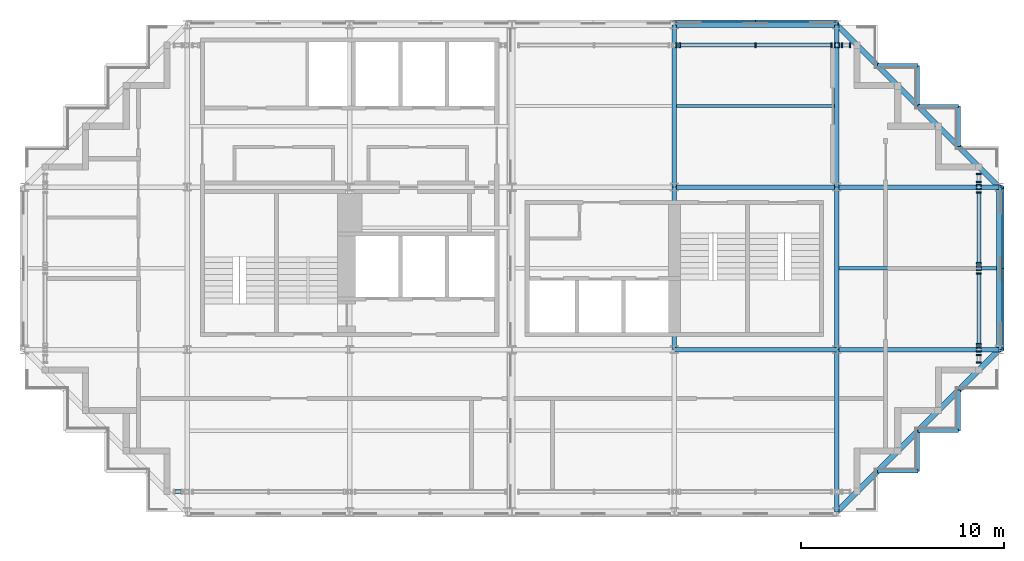
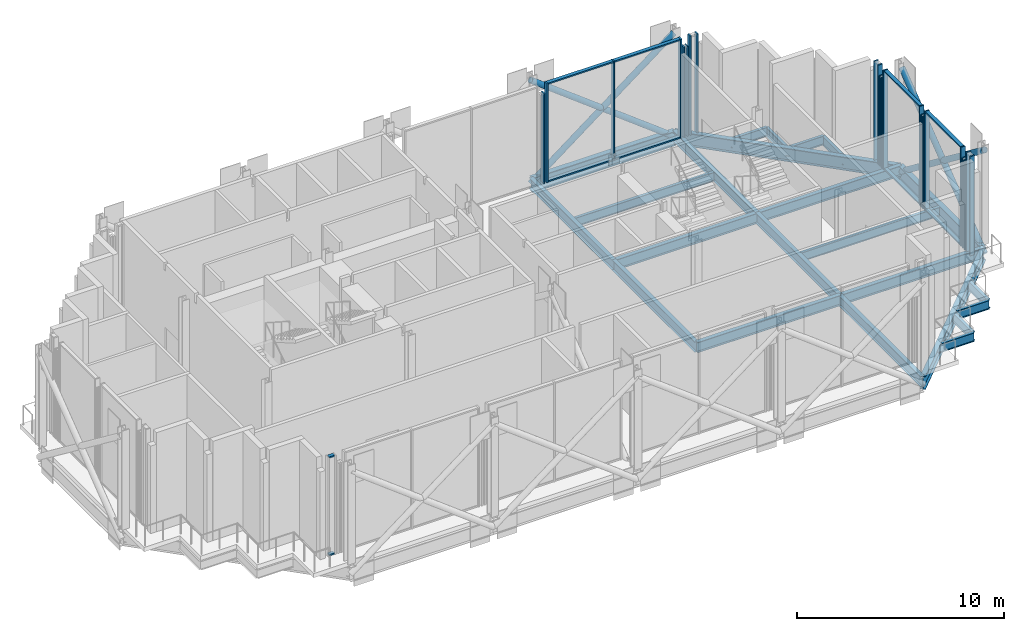
# One storey, part 4 of 16: 36 members, 23 beams, 12 elements without a shape of their own.
"""IFC4 building model written with IfcOpenShell, lengths in metres."""

import ifcopenshell
import ifcopenshell.guid

model = None  # the IFC model being written
_history = None  # IfcOwnerHistory: only IFC2X3 demands one
_inside = {}  # id of a spatial element -> (the spatial element, [elements in it])
_under = {}  # id of a project, library or spatial element -> (it, [spatial elements below it])
_declared = {}  # id of a project -> (the project, [libraries it declares])
_typed = {}  # id of a type object -> (the type object, [elements of that type])
_made_of = {}  # id of a material, layer set ... -> (it, [elements and type objects made of it])


def new_model(schema):
    """Start an empty IFC model of exactly this schema.

    Asked for "IFC4X3", IfcOpenShell would pick the latest addendum, in which some entities
    have other attributes; the version numbers below select the first issue.
    IFC2X3 requires an IfcOwnerHistory on every rooted entity: one is made here for all.
    """
    global model, _history
    if schema == "IFC4X3":
        model = ifcopenshell.file(schema_version=(4, 3, 0, 0))
    else:
        model = ifcopenshell.file(schema=schema)
    _inside.clear()
    _under.clear()
    _declared.clear()
    _typed.clear()
    _made_of.clear()
    _history = None
    if model.schema == "IFC2X3":
        org = make("IfcOrganization", Name="unknown")
        user = make(
            "IfcPersonAndOrganization",
            ThePerson=make("IfcPerson", FamilyName="unknown"),
            TheOrganization=org,
        )
        app = make(
            "IfcApplication",
            ApplicationDeveloper=org,
            Version="unknown",
            ApplicationFullName="unknown",
            ApplicationIdentifier="unknown",
        )
        _history = make(
            "IfcOwnerHistory",
            OwningUser=user,
            OwningApplication=app,
            ChangeAction="ADDED",
            CreationDate=0,
        )
    return model


def make(cls, **values):
    """One entity of the class cls with the attributes given. An attribute that is None is left unset."""
    return model.create_entity(
        cls, **{name: value for name, value in values.items() if value is not None}
    )


def rooted(cls, **values):
    """An entity with a GlobalId (a new one), such as an element, a storey or a relation."""
    return make(cls, GlobalId=ifcopenshell.guid.new(), OwnerHistory=_history, **values)


def si_unit(unit_type, name, prefix=None):
    """IfcSIUnit, for example si_unit("LENGTHUNIT", "METRE", prefix="MILLI")."""
    return make("IfcSIUnit", UnitType=unit_type, Prefix=prefix, Name=name)


def assignment(units):
    """IfcUnitAssignment: the units of a project."""
    return None if units is None else make("IfcUnitAssignment", Units=units)


def point(xyz):
    """IfcCartesianPoint."""
    return None if xyz is None else make("IfcCartesianPoint", Coordinates=xyz)


def direction(xyz):
    """IfcDirection."""
    return None if xyz is None else make("IfcDirection", DirectionRatios=xyz)


def frame(location, z_axis=None, x_axis=None):
    """IfcAxis2Placement3D, a coordinate frame: its origin and axes. An axis left out is left unset."""
    return make(
        "IfcAxis2Placement3D",
        Location=point(location),
        Axis=direction(z_axis),
        RefDirection=direction(x_axis),
    )


def frame_2d(location, x_axis=None):
    """IfcAxis2Placement2D, a coordinate frame in the plane: its origin and x axis."""
    return make(
        "IfcAxis2Placement2D", Location=point(location), RefDirection=direction(x_axis)
    )


def origin():
    """The frame at (0, 0, 0) with its axes left unset."""
    return frame((0.0, 0.0, 0.0))


def origin_2d():
    """The frame at (0, 0) in the plane with its x axis left unset."""
    return frame_2d((0.0, 0.0))


def place(relative_to, where):
    """IfcLocalPlacement: puts the frame where relative to a parent placement (None: the world)."""
    return make(
        "IfcLocalPlacement", PlacementRelTo=relative_to, RelativePlacement=where
    )


def context(
    kind, dimensions, precision=None, world=None, true_north=None, identifier=None
):
    """IfcGeometricRepresentationContext, for example the 3D "Model" context."""
    return make(
        "IfcGeometricRepresentationContext",
        ContextIdentifier=identifier,
        ContextType=kind,
        CoordinateSpaceDimension=dimensions,
        Precision=precision,
        WorldCoordinateSystem=world,
        TrueNorth=true_north,
    )


def subcontext(parent, identifier, kind, view, scale=None):
    """IfcGeometricRepresentationSubContext, for example "Body" below "Model"."""
    return make(
        "IfcGeometricRepresentationSubContext",
        ContextIdentifier=identifier,
        ContextType=kind,
        ParentContext=parent,
        TargetScale=scale,
        TargetView=view,
    )


def project(units=None, contexts=None):
    """IfcProject with its units and contexts."""
    return rooted(
        "IfcProject",
        Name="project",
        RepresentationContexts=contexts,
        UnitsInContext=assignment(units),
    )


def spatial(cls, under=None, at=None, **own):
    """A site, building, storey or space (cls), placed at a placement, below another one or the project."""
    s = rooted(cls, ObjectPlacement=at, **own)
    if under is not None:
        _under.setdefault(under.id(), (under, []))[1].append(s)
    return s


def profile(cls, at=None, kind="AREA", **sizes):
    """A parametric profile (cls). Its sizes go by their IFC names, for example OverallWidth=200.0."""
    return make(cls, ProfileType=kind, Position=at, **sizes)


def rectangle(**sizes):
    """IfcRectangleProfileDef."""
    return profile("IfcRectangleProfileDef", **sizes)


def hollow_circle(**sizes):
    """IfcCircleHollowProfileDef."""
    return profile("IfcCircleHollowProfileDef", **sizes)


def i_section(**sizes):
    """IfcIShapeProfileDef."""
    return profile("IfcIShapeProfileDef", **sizes)


def extrude(swept, where, along, depth):
    """IfcExtrudedAreaSolid: the profile swept, set in the frame where, extruded along a direction by depth."""
    return make(
        "IfcExtrudedAreaSolid",
        SweptArea=swept,
        Position=where,
        ExtrudedDirection=direction(along),
        Depth=depth,
    )


def shape(context_of_items, identifier, shape_type, items):
    """IfcShapeRepresentation: the items that make up one representation, for example the "Body"."""
    return make(
        "IfcShapeRepresentation",
        ContextOfItems=context_of_items,
        RepresentationIdentifier=identifier,
        RepresentationType=shape_type,
        Items=items,
    )


def material(Name=None, Category=None):
    """IfcMaterial."""
    return make("IfcMaterial", Name=Name, Category=Category)


def material_profile(
    of_material, cross_section, Name=None, Category=None, Priority=None
):
    """IfcMaterialProfile: a cross section and its material."""
    return make(
        "IfcMaterialProfile",
        Name=Name,
        Material=of_material,
        Profile=cross_section,
        Priority=Priority,
        Category=Category,
    )


def profile_set(profiles, Name=None, composite=None):
    """IfcMaterialProfileSet."""
    return make(
        "IfcMaterialProfileSet",
        Name=Name,
        MaterialProfiles=profiles,
        CompositeProfile=composite,
    )


def made_of(thing, what):
    """Note that an element or type object is made of a material, layer set ...; save() writes the relation."""
    if what is not None:
        _made_of.setdefault(what.id(), (what, []))[1].append(thing)
    return thing


def type_object(cls, material=None, **own):
    """A type object (cls), such as IfcWallType, which elements share."""
    return made_of(rooted(cls, **own), material)


def element(
    cls,
    number,
    at=None,
    inside=None,
    cuts=None,
    type_object=None,
    material=None,
    context=None,
    identifier="Body",
    shape_type=None,
    held_by="IfcProductDefinitionShape",
    body=None,
    shapes=None,
    **own,
):
    """One element of the class cls, such as IfcWall. Its Tag is "e" and its number.

    at: its placement. inside: the storey or other place that contains it. cuts: it is an
    opening in that element (IfcRelVoidsElement). A single representation is given by context,
    identifier, shape_type and body (its items); several are given by shapes. held_by: the class
    of the entity that holds the representations. save() writes the other relations.
    """
    e = rooted(cls, Tag="e%d" % number, ObjectPlacement=at, **own)
    if body is not None:
        shapes = [shape(context, identifier, shape_type, body)]
    if shapes is not None:
        e.Representation = make(held_by, Representations=shapes)
    if inside is not None:
        _inside.setdefault(inside.id(), (inside, []))[1].append(e)
    if cuts is not None:
        rooted(
            "IfcRelVoidsElement", RelatingBuildingElement=cuts, RelatedOpeningElement=e
        )
    if type_object is not None:
        _typed.setdefault(type_object.id(), (type_object, []))[1].append(e)
    return made_of(e, material)


def aggregate(whole, parts):
    """IfcRelAggregates: a whole, such as a stair, and the parts it consists of."""
    return rooted("IfcRelAggregates", RelatingObject=whole, RelatedObjects=parts)


def save(model, path):
    """Write the relations noted so far, then the file.

    IfcRelAggregates (storeys below a building ...), IfcRelContainedInSpatialStructure (elements
    in a storey), IfcRelDefinesByType, IfcRelAssociatesMaterial and IfcRelDeclares: one each for
    every whole, place, type object, material and project.
    """
    for whole, parts in _under.values():
        aggregate(whole, parts)
    for where, things in _inside.values():
        rooted(
            "IfcRelContainedInSpatialStructure",
            RelatedElements=things,
            RelatingStructure=where,
        )
    for kind, things in _typed.values():
        rooted("IfcRelDefinesByType", RelatedObjects=things, RelatingType=kind)
    for what, things in _made_of.values():
        rooted("IfcRelAssociatesMaterial", RelatedObjects=things, RelatingMaterial=what)
    for by, libraries in _declared.values():
        rooted("IfcRelDeclares", RelatingContext=by, RelatedDefinitions=libraries)
    model.write(path)


model = new_model("IFC4")

# Units and contexts
model_context = context("Model", 3, precision=1e-05, world=origin(), true_north=direction((0.0, 1.0)))
body_context = subcontext(model_context, "Body", "Model", "MODEL_VIEW")
ifc_project = project(units=[si_unit("LENGTHUNIT", "METRE"), si_unit("AREAUNIT", "SQUARE_METRE"), si_unit("VOLUMEUNIT", "CUBIC_METRE"), si_unit("PLANEANGLEUNIT", "RADIAN"), si_unit("MASSUNIT", "GRAM", prefix="KILO")], contexts=[model_context])

# Site, building, storey
site_placement = place(None, origin())
site = spatial("IfcSite", under=ifc_project, at=site_placement, CompositionType="ELEMENT")
building_placement = place(site_placement, origin())
building = spatial("IfcBuilding", under=site, at=building_placement, Name="Immortelle Media Tower", CompositionType="ELEMENT")
storey_placement = place(building_placement, frame((0.0, 0.0, 241.0)))
storey = spatial("IfcBuildingStorey", under=building, at=storey_placement, Name="L52", CompositionType="ELEMENT", Elevation=241.0)

# Members
ifc_material_1 = material(Name="Steel ASTM A500 Gr C", Category="steel")
ifc_material_profile_1 = material_profile(ifc_material_1, hollow_circle(Radius=0.162109375, WallThickness=0.011962890625, at=origin_2d()), Name="HSS12.750x0.500 truss diagonal")
ifc_profile_set_1 = profile_set([ifc_material_profile_1], Name="Steel ASTM A500 Gr C")
member_type_1 = type_object("IfcMemberType", Name="HSS12.750x0.500 truss diagonal", PredefinedType="BRACE", material=ifc_profile_set_1)
for number, where, z_axis, x_axis, name in (
    (1, (32.0, 24.072021484375, -0.679443359375), (0.794660608453, 0.0, 0.607053965783), (0.0, 1.0, 0.0), "Belt truss D/5-6 A"),
    (2, (32.0, 24.072021484375, 5.431884765625), (0.794660608453, 0.0, -0.607053965783), (0.0, 1.0, 0.0), "Belt truss D/5-6 B"),
    (3, (48.072021484375, 8.0, -0.679443359375), (0.0, 0.794660608453, 0.607053965783), (-1.0, 0.0, 0.0), "Belt truss 7/B-C A"),
    (4, (48.072021484375, 8.0, 5.431884765625), (0.0, 0.794660608453, -0.607053965783), (-1.0, 0.0, 0.0), "Belt truss 7/B-C B"),
):
    element("IfcMember", number, at=place(storey_placement, frame(where, z_axis=z_axis, x_axis=x_axis)), inside=storey, type_object=member_type_1, Name=name, PredefinedType="BRACE", context=body_context, shape_type="SweptSolid", body=[
        extrude(hollow_circle(Radius=0.162109375, WallThickness=0.011962890625, at=origin_2d()), origin(), (0.0, 0.0, 1.0), 10.067138671875),
    ])

# Curtain wall, members
ifc_material_2 = material(Name="Aluminium curtain wall system", Category="aluminium")
curtain_wall_type = type_object("IfcCurtainWallType", Name="Plant louvre wall curtain wall", PredefinedType="NOTDEFINED", material=ifc_material_2)
curtain_wall_1_placement = place(storey_placement, origin())
curtain_wall_1 = element("IfcCurtainWall", 5, at=curtain_wall_1_placement, inside=storey, type_object=curtain_wall_type, Name="Plant louvre wall L52 E 14-2", PredefinedType="NOTDEFINED")
ifc_material_3 = material(Name="Aluminium 6063-T6", Category="aluminium")
ifc_material_profile_2 = material_profile(ifc_material_3, rectangle(XDim=0.25, YDim=0.080078125, at=origin_2d()), Name="AL 80x250")
ifc_profile_set_2 = profile_set([ifc_material_profile_2], Name="Aluminium 6063-T6")
member_type_2 = type_object("IfcMemberType", Name="Plant louvre wall mullion 80 x 250", PredefinedType="MULLION", material=ifc_profile_set_2)
member_1_placement = place(storey_placement, frame((47.0, 7.35888671875, 0.0), z_axis=(0.0, 0.0, 1.0), x_axis=(-1.0, 0.0, 0.0)))
member_1 = element("IfcMember", 6, at=member_1_placement, type_object=member_type_2, Name="CW6 mullion 1", PredefinedType="MULLION", context=body_context, shape_type="SweptSolid", body=[
    extrude(rectangle(XDim=0.25, YDim=0.080078125, at=origin_2d()), origin(), (0.0, 0.0, 1.0), 5.849609375),
])
member_2_placement = place(storey_placement, frame((47.0, 7.736572265625, 0.0), z_axis=(0.0, 0.0, 1.0), x_axis=(-1.0, 0.0, 0.0)))
member_2 = element("IfcMember", 7, at=member_2_placement, type_object=member_type_2, Name="CW6 mullion 2", PredefinedType="MULLION", context=body_context, shape_type="SweptSolid", body=[
    extrude(rectangle(XDim=0.25, YDim=0.080078125, at=origin_2d()), origin(), (0.0, 0.0, 1.0), 5.849609375),
])
aggregate(curtain_wall_1, [member_1, member_2])

curtain_wall_2_placement = place(storey_placement, origin())
curtain_wall_2 = element("IfcCurtainWall", 8, at=curtain_wall_2_placement, inside=storey, type_object=curtain_wall_type, Name="Plant louvre wall L52 E 14-3", PredefinedType="NOTDEFINED")
member_3_placement = place(storey_placement, frame((47.0, 7.906494140625, 0.0), z_axis=(0.0, 0.0, 1.0), x_axis=(-1.0, 0.0, 0.0)))
member_3 = element("IfcMember", 9, at=member_3_placement, type_object=member_type_2, Name="CW6 mullion 1", PredefinedType="MULLION", context=body_context, shape_type="SweptSolid", body=[
    extrude(rectangle(XDim=0.25, YDim=0.080078125, at=origin_2d()), origin(), (0.0, 0.0, 1.0), 5.3134765625),
])
member_4_placement = place(storey_placement, frame((47.0, 8.093505859375, 0.0), z_axis=(0.0, 0.0, 1.0), x_axis=(-1.0, 0.0, 0.0)))
member_4 = element("IfcMember", 10, at=member_4_placement, type_object=member_type_2, Name="CW6 mullion 2", PredefinedType="MULLION", context=body_context, shape_type="SweptSolid", body=[
    extrude(rectangle(XDim=0.25, YDim=0.080078125, at=origin_2d()), origin(), (0.0, 0.0, 1.0), 5.3134765625),
])
aggregate(curtain_wall_2, [member_3, member_4])

curtain_wall_3_placement = place(storey_placement, origin())
curtain_wall_3 = element("IfcCurtainWall", 11, at=curtain_wall_3_placement, inside=storey, type_object=curtain_wall_type, Name="Plant louvre wall L52 E 14-4", PredefinedType="NOTDEFINED")
member_5_placement = place(storey_placement, frame((47.0, 8.263427734375, 0.0), z_axis=(0.0, 0.0, 1.0), x_axis=(-1.0, 0.0, 0.0)))
member_5 = element("IfcMember", 12, at=member_5_placement, type_object=member_type_2, Name="CW6 mullion 1", PredefinedType="MULLION", context=body_context, shape_type="SweptSolid", body=[
    extrude(rectangle(XDim=0.25, YDim=0.080078125, at=origin_2d()), origin(), (0.0, 0.0, 1.0), 5.849609375),
])
member_6_placement = place(storey_placement, frame((47.0, 11.75, 0.0), z_axis=(0.0, 0.0, 1.0), x_axis=(-1.0, 0.0, 0.0)))
member_6 = element("IfcMember", 13, at=member_6_placement, type_object=member_type_2, Name="CW6 mullion 2", PredefinedType="MULLION", context=body_context, shape_type="SweptSolid", body=[
    extrude(rectangle(XDim=0.25, YDim=0.080078125, at=origin_2d()), origin(), (0.0, 0.0, 1.0), 5.849609375),
])

curtain_wall_4_placement = place(storey_placement, origin())
curtain_wall_4 = element("IfcCurtainWall", 14, at=curtain_wall_4_placement, inside=storey, type_object=curtain_wall_type, Name="Plant louvre wall L52 E 14-5", PredefinedType="NOTDEFINED")
member_7_placement = place(storey_placement, frame((47.0, 11.919921875, 0.0), z_axis=(0.0, 0.0, 1.0), x_axis=(-1.0, 0.0, 0.0)))
member_7 = element("IfcMember", 15, at=member_7_placement, type_object=member_type_2, Name="CW6 mullion 1", PredefinedType="MULLION", context=body_context, shape_type="SweptSolid", body=[
    extrude(rectangle(XDim=0.25, YDim=0.080078125, at=origin_2d()), origin(), (0.0, 0.0, 1.0), 5.445556640625),
])
member_8_placement = place(storey_placement, frame((47.0, 12.080078125, 0.0), z_axis=(0.0, 0.0, 1.0), x_axis=(-1.0, 0.0, 0.0)))
member_8 = element("IfcMember", 16, at=member_8_placement, type_object=member_type_2, Name="CW6 mullion 2", PredefinedType="MULLION", context=body_context, shape_type="SweptSolid", body=[
    extrude(rectangle(XDim=0.25, YDim=0.080078125, at=origin_2d()), origin(), (0.0, 0.0, 1.0), 5.445556640625),
])
aggregate(curtain_wall_4, [member_7, member_8])

curtain_wall_5_placement = place(storey_placement, origin())
curtain_wall_5 = element("IfcCurtainWall", 17, at=curtain_wall_5_placement, inside=storey, type_object=curtain_wall_type, Name="Plant louvre wall L52 E 14-6", PredefinedType="NOTDEFINED")
member_9_placement = place(storey_placement, frame((47.0, 12.25, 0.0), z_axis=(0.0, 0.0, 1.0), x_axis=(-1.0, 0.0, 0.0)))
member_9 = element("IfcMember", 18, at=member_9_placement, type_object=member_type_2, Name="CW6 mullion 1", PredefinedType="MULLION", context=body_context, shape_type="SweptSolid", body=[
    extrude(rectangle(XDim=0.25, YDim=0.080078125, at=origin_2d()), origin(), (0.0, 0.0, 1.0), 5.849609375),
])
member_10_placement = place(storey_placement, frame((47.0, 15.736572265625, 0.0), z_axis=(0.0, 0.0, 1.0), x_axis=(-1.0, 0.0, 0.0)))
member_10 = element("IfcMember", 19, at=member_10_placement, type_object=member_type_2, Name="CW6 mullion 2", PredefinedType="MULLION", context=body_context, shape_type="SweptSolid", body=[
    extrude(rectangle(XDim=0.25, YDim=0.080078125, at=origin_2d()), origin(), (0.0, 0.0, 1.0), 5.849609375),
])

curtain_wall_6_placement = place(storey_placement, origin())
curtain_wall_6 = element("IfcCurtainWall", 20, at=curtain_wall_6_placement, inside=storey, type_object=curtain_wall_type, Name="Plant louvre wall L52 E 14-7", PredefinedType="NOTDEFINED")
member_11_placement = place(storey_placement, frame((47.0, 15.906494140625, 0.0), z_axis=(0.0, 0.0, 1.0), x_axis=(-1.0, 0.0, 0.0)))
member_11 = element("IfcMember", 21, at=member_11_placement, type_object=member_type_2, Name="CW6 mullion 1", PredefinedType="MULLION", context=body_context, shape_type="SweptSolid", body=[
    extrude(rectangle(XDim=0.25, YDim=0.080078125, at=origin_2d()), origin(), (0.0, 0.0, 1.0), 5.3134765625),
])
member_12_placement = place(storey_placement, frame((47.0, 16.093505859375, 0.0), z_axis=(0.0, 0.0, 1.0), x_axis=(-1.0, 0.0, 0.0)))
member_12 = element("IfcMember", 22, at=member_12_placement, type_object=member_type_2, Name="CW6 mullion 2", PredefinedType="MULLION", context=body_context, shape_type="SweptSolid", body=[
    extrude(rectangle(XDim=0.25, YDim=0.080078125, at=origin_2d()), origin(), (0.0, 0.0, 1.0), 5.3134765625),
])
aggregate(curtain_wall_6, [member_11, member_12])

curtain_wall_7_placement = place(storey_placement, origin())
curtain_wall_7 = element("IfcCurtainWall", 23, at=curtain_wall_7_placement, inside=storey, type_object=curtain_wall_type, Name="Plant louvre wall L52 E 14-8", PredefinedType="NOTDEFINED")
member_13_placement = place(storey_placement, frame((47.0, 16.263427734375, 0.0), z_axis=(0.0, 0.0, 1.0), x_axis=(-1.0, 0.0, 0.0)))
member_13 = element("IfcMember", 24, at=member_13_placement, type_object=member_type_2, Name="CW6 mullion 1", PredefinedType="MULLION", context=body_context, shape_type="SweptSolid", body=[
    extrude(rectangle(XDim=0.25, YDim=0.080078125, at=origin_2d()), origin(), (0.0, 0.0, 1.0), 5.849609375),
])
member_14_placement = place(storey_placement, frame((47.0, 16.64111328125, 0.0), z_axis=(0.0, 0.0, 1.0), x_axis=(-1.0, 0.0, 0.0)))
member_14 = element("IfcMember", 25, at=member_14_placement, type_object=member_type_2, Name="CW6 mullion 2", PredefinedType="MULLION", context=body_context, shape_type="SweptSolid", body=[
    extrude(rectangle(XDim=0.25, YDim=0.080078125, at=origin_2d()), origin(), (0.0, 0.0, 1.0), 5.849609375),
])
aggregate(curtain_wall_7, [member_13, member_14])

curtain_wall_8_placement = place(storey_placement, origin())
curtain_wall_8 = element("IfcCurtainWall", 26, at=curtain_wall_8_placement, inside=storey, type_object=curtain_wall_type, Name="Plant louvre wall L52 N 21-2", PredefinedType="NOTDEFINED")
member_15_placement = place(storey_placement, frame((40.64111328125, 23.0, 0.0), z_axis=(0.0, 0.0, 1.0), x_axis=(0.0, -1.0, 0.0)))
member_15 = element("IfcMember", 27, at=member_15_placement, type_object=member_type_2, Name="CW6 mullion 1", PredefinedType="MULLION", context=body_context, shape_type="SweptSolid", body=[
    extrude(rectangle(XDim=0.25, YDim=0.080078125, at=origin_2d()), origin(), (0.0, 0.0, 1.0), 5.849609375),
])
member_16_placement = place(storey_placement, frame((40.263427734375, 23.0, 0.0), z_axis=(0.0, 0.0, 1.0), x_axis=(0.0, -1.0, 0.0)))
member_16 = element("IfcMember", 28, at=member_16_placement, type_object=member_type_2, Name="CW6 mullion 2", PredefinedType="MULLION", context=body_context, shape_type="SweptSolid", body=[
    extrude(rectangle(XDim=0.25, YDim=0.080078125, at=origin_2d()), origin(), (0.0, 0.0, 1.0), 5.849609375),
])
aggregate(curtain_wall_8, [member_15, member_16])

curtain_wall_9_placement = place(storey_placement, origin())
curtain_wall_9 = element("IfcCurtainWall", 29, at=curtain_wall_9_placement, inside=storey, type_object=curtain_wall_type, Name="Plant louvre wall L52 N 21-3", PredefinedType="NOTDEFINED")
member_17_placement = place(storey_placement, frame((40.093505859375, 23.0, 0.0), z_axis=(0.0, 0.0, 1.0), x_axis=(0.0, -1.0, 0.0)))
member_17 = element("IfcMember", 30, at=member_17_placement, type_object=member_type_2, Name="CW6 mullion 1", PredefinedType="MULLION", context=body_context, shape_type="SweptSolid", body=[
    extrude(rectangle(XDim=0.25, YDim=0.080078125, at=origin_2d()), origin(), (0.0, 0.0, 1.0), 5.3134765625),
])
member_18_placement = place(storey_placement, frame((39.906494140625, 23.0, 0.0), z_axis=(0.0, 0.0, 1.0), x_axis=(0.0, -1.0, 0.0)))
member_18 = element("IfcMember", 31, at=member_18_placement, type_object=member_type_2, Name="CW6 mullion 2", PredefinedType="MULLION", context=body_context, shape_type="SweptSolid", body=[
    extrude(rectangle(XDim=0.25, YDim=0.080078125, at=origin_2d()), origin(), (0.0, 0.0, 1.0), 5.3134765625),
])
aggregate(curtain_wall_9, [member_17, member_18])

curtain_wall_10_placement = place(storey_placement, origin())
curtain_wall_10 = element("IfcCurtainWall", 32, at=curtain_wall_10_placement, inside=storey, type_object=curtain_wall_type, Name="Plant louvre wall L52 N 21-4", PredefinedType="NOTDEFINED")
member_19_placement = place(storey_placement, frame((39.736572265625, 23.0, 0.0), z_axis=(0.0, 0.0, 1.0), x_axis=(0.0, -1.0, 0.0)))
member_19 = element("IfcMember", 33, at=member_19_placement, type_object=member_type_2, Name="CW6 mullion 1", PredefinedType="MULLION", context=body_context, shape_type="SweptSolid", body=[
    extrude(rectangle(XDim=0.25, YDim=0.080078125, at=origin_2d()), origin(), (0.0, 0.0, 1.0), 5.849609375),
])
member_20_placement = place(storey_placement, frame((36.0, 23.0, 0.0), z_axis=(0.0, 0.0, 1.0), x_axis=(0.0, -1.0, 0.0)))
member_20 = element("IfcMember", 34, at=member_20_placement, type_object=member_type_2, Name="CW6 mullion 2", PredefinedType="MULLION", context=body_context, shape_type="SweptSolid", body=[
    extrude(rectangle(XDim=0.25, YDim=0.080078125, at=origin_2d()), origin(), (0.0, 0.0, 1.0), 5.849609375),
])
member_21_placement = place(storey_placement, frame((32.263427734375, 23.0, 0.0), z_axis=(0.0, 0.0, 1.0), x_axis=(0.0, -1.0, 0.0)))
member_21 = element("IfcMember", 35, at=member_21_placement, type_object=member_type_2, Name="CW6 mullion 3", PredefinedType="MULLION", context=body_context, shape_type="SweptSolid", body=[
    extrude(rectangle(XDim=0.25, YDim=0.080078125, at=origin_2d()), origin(), (0.0, 0.0, 1.0), 5.849609375),
])

# Curtain wall, member
curtain_wall_11_placement = place(storey_placement, origin())
curtain_wall_11 = element("IfcCurtainWall", 36, at=curtain_wall_11_placement, inside=storey, type_object=curtain_wall_type, Name="Plant louvre wall L52 N 21-5", PredefinedType="NOTDEFINED")
member_22_placement = place(storey_placement, frame((32.093505859375, 23.0, 0.0), z_axis=(0.0, 0.0, 1.0), x_axis=(0.0, -1.0, 0.0)))
member_22 = element("IfcMember", 37, at=member_22_placement, type_object=member_type_2, Name="CW6 mullion 1", PredefinedType="MULLION", context=body_context, shape_type="SweptSolid", body=[
    extrude(rectangle(XDim=0.25, YDim=0.080078125, at=origin_2d()), origin(), (0.0, 0.0, 1.0), 5.3134765625),
])
aggregate(curtain_wall_11, [member_22])

# Curtain wall, members
curtain_wall_12_placement = place(storey_placement, origin())
curtain_wall_12 = element("IfcCurtainWall", 38, at=curtain_wall_12_placement, inside=storey, type_object=curtain_wall_type, Name="Plant louvre wall L52 S 7-2", PredefinedType="NOTDEFINED")
ifc_material_profile_3 = material_profile(ifc_material_3, rectangle(XDim=0.199951171875, YDim=0.080078125, at=origin_2d()), Name="AL 80x200")
ifc_profile_set_3 = profile_set([ifc_material_profile_3], Name="Aluminium 6063-T6")
member_type_3 = type_object("IfcMemberType", Name="Plant louvre wall transom 80 x 200", PredefinedType="USERDEFINED", material=ifc_profile_set_3)
member_23_placement = place(storey_placement, frame((7.39892578125, 1.0, 0.0400390625), z_axis=(1.0, 0.0, 0.0), x_axis=(0.0, 1.0, 0.0)))
member_23 = element("IfcMember", 39, at=member_23_placement, type_object=member_type_3, Name="CW6 transom 1.1", ObjectType="TRANSOM", PredefinedType="USERDEFINED", context=body_context, shape_type="SweptSolid", body=[
    extrude(rectangle(XDim=0.199951171875, YDim=0.080078125, at=origin_2d()), origin(), (0.0, 0.0, 1.0), 0.297607421875),
])
member_24_placement = place(storey_placement, frame((7.39892578125, 1.0, 5.8095703125), z_axis=(1.0, 0.0, 0.0), x_axis=(0.0, 1.0, 0.0)))
member_24 = element("IfcMember", 40, at=member_24_placement, type_object=member_type_3, Name="CW6 transom 1.2", ObjectType="TRANSOM", PredefinedType="USERDEFINED", context=body_context, shape_type="SweptSolid", body=[
    extrude(rectangle(XDim=0.199951171875, YDim=0.080078125, at=origin_2d()), origin(), (0.0, 0.0, 1.0), 0.297607421875),
])
aggregate(curtain_wall_12, [member_23, member_24])

# Member
member_25_placement = place(storey_placement, frame((47.0, 8.303466796875, 0.0400390625), z_axis=(0.0, 1.0, 0.0), x_axis=(-1.0, 0.0, 0.0)))
member_25 = element("IfcMember", 41, at=member_25_placement, type_object=member_type_3, Name="CW6 transom 1.1", ObjectType="TRANSOM", PredefinedType="USERDEFINED", context=body_context, shape_type="SweptSolid", body=[
    extrude(rectangle(XDim=0.199951171875, YDim=0.080078125, at=origin_2d()), origin(), (0.0, 0.0, 1.0), 3.406494140625),
])

member_26_placement = place(storey_placement, frame((47.0, 8.303466796875, 5.8095703125), z_axis=(0.0, 1.0, 0.0), x_axis=(-1.0, 0.0, 0.0)))
member_26 = element("IfcMember", 42, at=member_26_placement, type_object=member_type_3, Name="CW6 transom 1.2", ObjectType="TRANSOM", PredefinedType="USERDEFINED", context=body_context, shape_type="SweptSolid", body=[
    extrude(rectangle(XDim=0.199951171875, YDim=0.080078125, at=origin_2d()), origin(), (0.0, 0.0, 1.0), 3.406494140625),
])

aggregate(curtain_wall_3, [member_5, member_6, member_25, member_26])

member_27_placement = place(storey_placement, frame((47.0, 12.2900390625, 0.0400390625), z_axis=(0.0, 1.0, 0.0), x_axis=(-1.0, 0.0, 0.0)))
member_27 = element("IfcMember", 43, at=member_27_placement, type_object=member_type_3, Name="CW6 transom 1.1", ObjectType="TRANSOM", PredefinedType="USERDEFINED", context=body_context, shape_type="SweptSolid", body=[
    extrude(rectangle(XDim=0.199951171875, YDim=0.080078125, at=origin_2d()), origin(), (0.0, 0.0, 1.0), 3.406494140625),
])

member_28_placement = place(storey_placement, frame((47.0, 12.2900390625, 5.8095703125), z_axis=(0.0, 1.0, 0.0), x_axis=(-1.0, 0.0, 0.0)))
member_28 = element("IfcMember", 44, at=member_28_placement, type_object=member_type_3, Name="CW6 transom 1.2", ObjectType="TRANSOM", PredefinedType="USERDEFINED", context=body_context, shape_type="SweptSolid", body=[
    extrude(rectangle(XDim=0.199951171875, YDim=0.080078125, at=origin_2d()), origin(), (0.0, 0.0, 1.0), 3.406494140625),
])

aggregate(curtain_wall_5, [member_9, member_10, member_27, member_28])

member_29_placement = place(storey_placement, frame((39.696533203125, 23.0, 0.0400390625), z_axis=(-1.0, 0.0, 0.0), x_axis=(0.0, -1.0, 0.0)))
member_29 = element("IfcMember", 45, at=member_29_placement, type_object=member_type_3, Name="CW6 transom 1.1", ObjectType="TRANSOM", PredefinedType="USERDEFINED", context=body_context, shape_type="SweptSolid", body=[
    extrude(rectangle(XDim=0.199951171875, YDim=0.080078125, at=origin_2d()), origin(), (0.0, 0.0, 1.0), 3.656494140625),
])

member_30_placement = place(storey_placement, frame((39.696533203125, 23.0, 5.8095703125), z_axis=(-1.0, 0.0, 0.0), x_axis=(0.0, -1.0, 0.0)))
member_30 = element("IfcMember", 46, at=member_30_placement, type_object=member_type_3, Name="CW6 transom 1.2", ObjectType="TRANSOM", PredefinedType="USERDEFINED", context=body_context, shape_type="SweptSolid", body=[
    extrude(rectangle(XDim=0.199951171875, YDim=0.080078125, at=origin_2d()), origin(), (0.0, 0.0, 1.0), 3.656494140625),
])

member_31_placement = place(storey_placement, frame((35.9599609375, 23.0, 0.0400390625), z_axis=(-1.0, 0.0, 0.0), x_axis=(0.0, -1.0, 0.0)))
member_31 = element("IfcMember", 47, at=member_31_placement, type_object=member_type_3, Name="CW6 transom 2.1", ObjectType="TRANSOM", PredefinedType="USERDEFINED", context=body_context, shape_type="SweptSolid", body=[
    extrude(rectangle(XDim=0.199951171875, YDim=0.080078125, at=origin_2d()), origin(), (0.0, 0.0, 1.0), 3.656494140625),
])

member_32_placement = place(storey_placement, frame((35.9599609375, 23.0, 5.8095703125), z_axis=(-1.0, 0.0, 0.0), x_axis=(0.0, -1.0, 0.0)))
member_32 = element("IfcMember", 48, at=member_32_placement, type_object=member_type_3, Name="CW6 transom 2.2", ObjectType="TRANSOM", PredefinedType="USERDEFINED", context=body_context, shape_type="SweptSolid", body=[
    extrude(rectangle(XDim=0.199951171875, YDim=0.080078125, at=origin_2d()), origin(), (0.0, 0.0, 1.0), 3.656494140625),
])

aggregate(curtain_wall_10, [member_19, member_20, member_21, member_29, member_30, member_31, member_32])

# Beams
ifc_material_4 = material(Name="Steel ASTM A992 Gr 50", Category="steel")
ifc_material_profile_4 = material_profile(ifc_material_4, i_section(OverallWidth=0.1650390625, OverallDepth=0.52587890625, WebThickness=0.009033203125, FlangeThickness=0.010986328125, at=origin_2d()), Name="W21x44")
ifc_profile_set_4 = profile_set([ifc_material_profile_4], Name="Steel ASTM A992 Gr 50")
beam_type_1 = type_object("IfcBeamType", Name="W21x44 secondary beam", PredefinedType="JOIST", material=ifc_profile_set_4)
beam_1_placement = place(storey_placement, frame((40.114501953125, 12.0, -0.512939453125), z_axis=(1.0, 0.0, 0.0), x_axis=(0.0, 1.0, 0.0)))
element("IfcBeam", 49, at=beam_1_placement, inside=storey, type_object=beam_type_1, Name="Beam B-C/6-7", PredefinedType="JOIST", context=body_context, shape_type="SweptSolid", body=[
    extrude(i_section(OverallWidth=0.1650390625, OverallDepth=0.52587890625, WebThickness=0.009033203125, FlangeThickness=0.010986328125, at=origin_2d()), origin(), (0.0, 0.0, 1.0), 7.739501953125),
])
beam_2_placement = place(storey_placement, frame((32.114501953125, 20.0, -0.512939453125), z_axis=(1.0, 0.0, 0.0), x_axis=(0.0, 1.0, 0.0)))
element("IfcBeam", 50, at=beam_2_placement, inside=storey, type_object=beam_type_1, Name="Beam C-D/5-6", PredefinedType="JOIST", context=body_context, shape_type="SweptSolid", body=[
    extrude(i_section(OverallWidth=0.1650390625, OverallDepth=0.52587890625, WebThickness=0.009033203125, FlangeThickness=0.010986328125, at=origin_2d()), origin(), (0.0, 0.0, 1.0), 7.77099609375),
])
ifc_material_profile_5 = material_profile(ifc_material_4, i_section(OverallWidth=0.1650390625, OverallDepth=0.52587890625, WebThickness=0.009033203125, FlangeThickness=0.010986328125, at=origin_2d()), Name="W21x44")
ifc_profile_set_5 = profile_set([ifc_material_profile_5], Name="Steel ASTM A992 Gr 50")
beam_type_2 = type_object("IfcBeamType", Name="W21x44 serration edge beam", PredefinedType="SPANDREL", material=ifc_profile_set_5)
for number, where, z_axis, x_axis, name in (
    (51, (46.0, 6.0, -0.512939453125), (0.0, -1.0, 0.0), (1.0, 0.0, 0.0), "Corner edge beam 1 at 7/A"),
    (52, (46.0, 4.0, -0.512939453125), (-1.0, 0.0, 0.0), (0.0, -1.0, 0.0), "Corner edge beam 2 at 7/A"),
    (53, (44.0, 4.0, -0.512939453125), (0.0, -1.0, 0.0), (1.0, 0.0, 0.0), "Corner edge beam 3 at 7/A"),
    (54, (44.0, 2.0, -0.512939453125), (-1.0, 0.0, 0.0), (0.0, -1.0, 0.0), "Corner edge beam 4 at 7/A"),
    (55, (42.0, 22.0, -0.512939453125), (1.0, 0.0, 0.0), (0.0, 1.0, 0.0), "Corner edge beam 1 at 7/D"),
    (56, (44.0, 22.0, -0.512939453125), (0.0, -1.0, 0.0), (1.0, 0.0, 0.0), "Corner edge beam 2 at 7/D"),
    (57, (44.0, 20.0, -0.512939453125), (1.0, 0.0, 0.0), (0.0, 1.0, 0.0), "Corner edge beam 3 at 7/D"),
    (58, (46.0, 20.0, -0.512939453125), (0.0, -1.0, 0.0), (1.0, 0.0, 0.0), "Corner edge beam 4 at 7/D"),
):
    element("IfcBeam", number, at=place(storey_placement, frame(where, z_axis=z_axis, x_axis=x_axis)), inside=storey, type_object=beam_type_2, Name=name, PredefinedType="SPANDREL", context=body_context, shape_type="SweptSolid", body=[
        extrude(i_section(OverallWidth=0.1650390625, OverallDepth=0.52587890625, WebThickness=0.009033203125, FlangeThickness=0.010986328125, at=origin_2d()), origin(), (0.0, 0.0, 1.0), 2.0),
    ])
ifc_material_profile_6 = material_profile(ifc_material_4, i_section(OverallWidth=0.22900390625, OverallDepth=0.612060546875, WebThickness=0.011962890625, FlangeThickness=0.02001953125, at=origin_2d()), Name="W24x84")
ifc_profile_set_6 = profile_set([ifc_material_profile_6], Name="Steel ASTM A992 Gr 50")
beam_type_3 = type_object("IfcBeamType", Name="W24x84 girder", PredefinedType="BEAM", material=ifc_profile_set_6)
for number, where, z_axis, x_axis, name in (
    (59, (32.0, 8.0, -0.555908203125), (1.0, 0.0, 0.0), (0.0, 1.0, 0.0), "Girder B/5-6"),
    (60, (32.0, 8.0, -0.555908203125), (0.0, 1.0, 0.0), (-1.0, 0.0, 0.0), "Girder 5/B-C"),
    (61, (32.0, 16.0, -0.555908203125), (1.0, 0.0, 0.0), (0.0, 1.0, 0.0), "Girder C/5-6"),
    (62, (32.0, 16.0, -0.555908203125), (0.0, 1.0, 0.0), (-1.0, 0.0, 0.0), "Girder 5/C-D"),
    (63, (40.0, 0.0, -0.555908203125), (0.0, 1.0, 0.0), (-1.0, 0.0, 0.0), "Girder 6/A-B"),
    (64, (40.0, 8.0, -0.555908203125), (1.0, 0.0, 0.0), (0.0, 1.0, 0.0), "Girder B/6-7"),
    (65, (40.0, 8.0, -0.555908203125), (0.0, 1.0, 0.0), (-1.0, 0.0, 0.0), "Girder 6/B-C"),
    (66, (40.0, 16.0, -0.555908203125), (1.0, 0.0, 0.0), (0.0, 1.0, 0.0), "Girder C/6-7"),
    (67, (40.0, 16.0, -0.555908203125), (0.0, 1.0, 0.0), (-1.0, 0.0, 0.0), "Girder 6/C-D"),
):
    element("IfcBeam", number, at=place(storey_placement, frame(where, z_axis=z_axis, x_axis=x_axis)), inside=storey, type_object=beam_type_3, Name=name, PredefinedType="BEAM", context=body_context, shape_type="SweptSolid", body=[
        extrude(i_section(OverallWidth=0.22900390625, OverallDepth=0.612060546875, WebThickness=0.011962890625, FlangeThickness=0.02001953125, at=origin_2d()), origin(), (0.0, 0.0, 1.0), 8.0),
    ])
ifc_material_profile_7 = material_profile(ifc_material_4, i_section(OverallWidth=0.26708984375, OverallDepth=0.780029296875, WebThickness=0.01708984375, FlangeThickness=0.030029296875, at=origin_2d()), Name="W30x148")
ifc_profile_set_7 = profile_set([ifc_material_profile_7], Name="Steel ASTM A992 Gr 50")
beam_type_4 = type_object("IfcBeamType", Name="W30x148 corner girder", PredefinedType="SPANDREL", material=ifc_profile_set_7)
for number, where, z_axis, x_axis, name in (
    (68, (48.0, 8.0, -0.639892578125), (-0.707106781187, -0.707106781187, 0.0), (0.707106781187, -0.707106781187, 0.0), "Corner girder at 7/A"),
    (69, (40.0, 24.0, -0.639892578125), (0.707106781187, -0.707106781187, 0.0), (0.707106781187, 0.707106781187, 0.0), "Corner girder at 7/D"),
):
    element("IfcBeam", number, at=place(storey_placement, frame(where, z_axis=z_axis, x_axis=x_axis)), inside=storey, type_object=beam_type_4, Name=name, PredefinedType="SPANDREL", context=body_context, shape_type="SweptSolid", body=[
        extrude(i_section(OverallWidth=0.26708984375, OverallDepth=0.780029296875, WebThickness=0.01708984375, FlangeThickness=0.030029296875, at=origin_2d()), origin(), (0.0, 0.0, 1.0), 11.313720703125),
    ])
ifc_material_profile_8 = material_profile(ifc_material_4, i_section(OverallWidth=0.2919921875, OverallDepth=0.85888671875, WebThickness=0.01708984375, FlangeThickness=0.031005859375, at=origin_2d()), Name="W33x169")
ifc_profile_set_8 = profile_set([ifc_material_profile_8], Name="Steel ASTM A992 Gr 50")
beam_type_5 = type_object("IfcBeamType", Name="W33x169 perimeter girder", PredefinedType="SPANDREL", material=ifc_profile_set_8)
for number, where, z_axis, x_axis, name in (
    (70, (32.0, 24.0, -0.679443359375), (1.0, 0.0, 0.0), (0.0, 1.0, 0.0), "Girder D/5-6"),
    (71, (48.0, 8.0, -0.679443359375), (0.0, 1.0, 0.0), (-1.0, 0.0, 0.0), "Girder 7/B-C"),
):
    element("IfcBeam", number, at=place(storey_placement, frame(where, z_axis=z_axis, x_axis=x_axis)), inside=storey, type_object=beam_type_5, Name=name, PredefinedType="SPANDREL", context=body_context, shape_type="SweptSolid", body=[
        extrude(i_section(OverallWidth=0.2919921875, OverallDepth=0.85888671875, WebThickness=0.01708984375, FlangeThickness=0.031005859375, at=origin_2d()), origin(), (0.0, 0.0, 1.0), 8.0),
    ])

save(model, "model.ifc")
